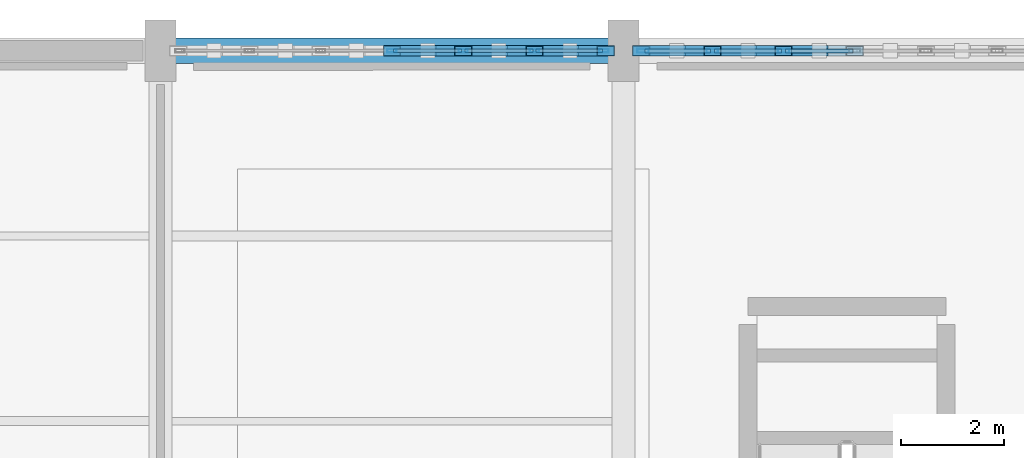
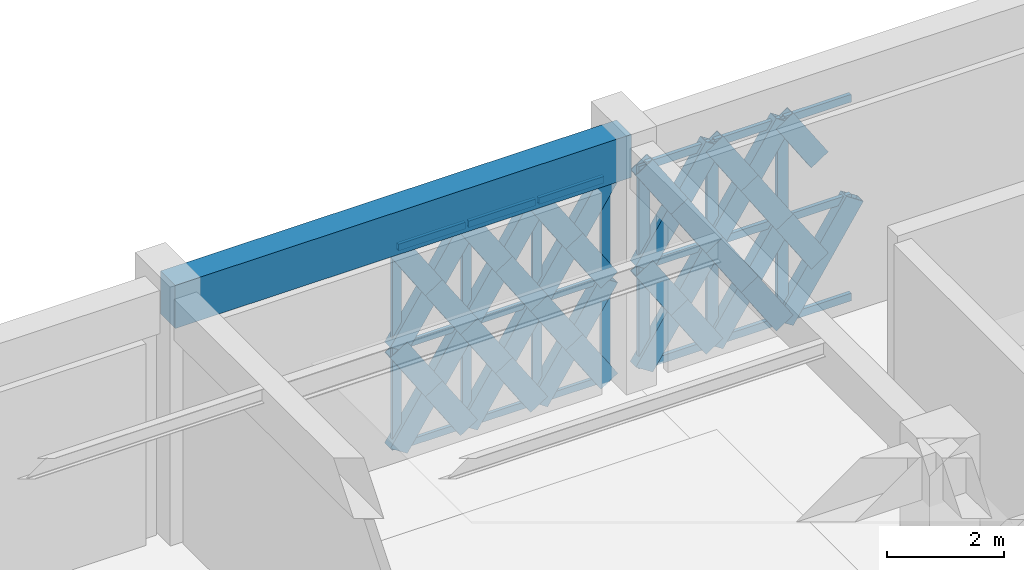
# One storey, part 72 of 140: 58 members, 1 beam, 2 elements without a shape of their own.
"""IFC4 building model written with IfcOpenShell, lengths in metres."""

from ifc_helpers import new_model, si_unit, direction, frame, origin, origin_2d, place, context, subcontext, project, spatial, rectangle, hollow_rectangle, extrude, material, material_profile, profile_set, type_object, element, aggregate, save


model = new_model("IFC4")

# Units and contexts
model_context = context("Model", 3, precision=1e-05, world=origin(), true_north=direction((0.0, 1.0)))
body_context = subcontext(model_context, "Body", "Model", "MODEL_VIEW")
ifc_project = project(units=[si_unit("LENGTHUNIT", "METRE"), si_unit("AREAUNIT", "SQUARE_METRE"), si_unit("VOLUMEUNIT", "CUBIC_METRE"), si_unit("PLANEANGLEUNIT", "RADIAN"), si_unit("MASSUNIT", "GRAM", prefix="KILO")], contexts=[model_context])

# Site, building, storey
site_placement = place(None, origin())
site = spatial("IfcSite", under=ifc_project, at=site_placement, CompositionType="ELEMENT")
building_placement = place(site_placement, origin())
building = spatial("IfcBuilding", under=site, at=building_placement, Name="Haizhuo Lancet Aquarium", CompositionType="ELEMENT")
storey_placement = place(building_placement, origin())
storey = spatial("IfcBuildingStorey", under=building, at=storey_placement, Name="L00", CompositionType="ELEMENT", Elevation=0.0)

# Beam
ifc_material_1 = material(Name="Concrete C40/50", Category="concrete")
ifc_material_profile_1 = material_profile(ifc_material_1, rectangle(XDim=0.5, YDim=0.89990234375, at=origin_2d()), Name="RC-BM 500x900")
ifc_profile_set_1 = profile_set([ifc_material_profile_1], Name="Concrete C40/50")
beam_type = type_object("IfcBeamType", Name="BM-RC-500x900", PredefinedType="BEAM", material=ifc_profile_set_1)
beam_placement = place(storey_placement, frame((0.0, 55.800048828125, 4.669921875), z_axis=(1.0, 0.0, 0.0), x_axis=(0.0, 1.0, 0.0)))
element("IfcBeam", 1, at=beam_placement, inside=storey, type_object=beam_type, Name="L00 V5 primary girder BM-L00-V5-022", PredefinedType="BEAM", context=body_context, shape_type="SweptSolid", body=[
    extrude(rectangle(XDim=0.5, YDim=0.89990234375, at=origin_2d()), origin(), (0.0, 0.0, 1.0), 9.0),
])

# Curtain wall, members
ifc_material_2 = material(Name="Aluminium 6063-T6", Category="aluminium")
curtain_wall_type = type_object("IfcCurtainWallType", Name="CWD-8310x4220", PredefinedType="NOTDEFINED", material=ifc_material_2)
curtain_wall_1_placement = place(storey_placement, origin())
curtain_wall_1 = element("IfcCurtainWall", 2, at=curtain_wall_1_placement, inside=storey, type_object=curtain_wall_type, Name="L00 curtain wall CW-V5-L00-118", PredefinedType="NOTDEFINED")
ifc_material_profile_2 = material_profile(ifc_material_2, hollow_rectangle(XDim=0.06494140625, YDim=0.179931640625, WallThickness=0.00390625, at=origin_2d()), Name="ALU-M 65x180x4")
ifc_profile_set_2 = profile_set([ifc_material_profile_2], Name="Aluminium 6063-T6")
member_type_1 = type_object("IfcMemberType", Name="CW-MUL-1", PredefinedType="MULLION", material=ifc_profile_set_2)
member_1_placement = place(storey_placement, frame((4.5, 55.800048828125, 0.0), z_axis=(0.0, 0.0, 1.0), x_axis=(0.0, 1.0, 0.0)))
member_1 = element("IfcMember", 3, at=member_1_placement, type_object=member_type_1, Name="CWD-83x42 mullion 4", PredefinedType="MULLION", context=body_context, shape_type="SweptSolid", body=[
    extrude(hollow_rectangle(XDim=0.06494140625, YDim=0.179931640625, WallThickness=0.00390625, at=origin_2d()), origin(), (0.0, 0.0, 1.0), 4.219970703125),
])
member_2_placement = place(storey_placement, frame((5.885009765625, 55.800048828125, 0.0), z_axis=(0.0, 0.0, 1.0), x_axis=(0.0, 1.0, 0.0)))
member_2 = element("IfcMember", 4, at=member_2_placement, type_object=member_type_1, Name="CWD-83x42 mullion 5", PredefinedType="MULLION", context=body_context, shape_type="SweptSolid", body=[
    extrude(hollow_rectangle(XDim=0.06494140625, YDim=0.179931640625, WallThickness=0.00390625, at=origin_2d()), origin(), (0.0, 0.0, 1.0), 4.219970703125),
])
member_3_placement = place(storey_placement, frame((7.27001953125, 55.800048828125, 0.0), z_axis=(0.0, 0.0, 1.0), x_axis=(0.0, 1.0, 0.0)))
member_3 = element("IfcMember", 5, at=member_3_placement, type_object=member_type_1, Name="CWD-83x42 mullion 6", PredefinedType="MULLION", context=body_context, shape_type="SweptSolid", body=[
    extrude(hollow_rectangle(XDim=0.06494140625, YDim=0.179931640625, WallThickness=0.00390625, at=origin_2d()), origin(), (0.0, 0.0, 1.0), 4.219970703125),
])
member_4_placement = place(storey_placement, frame((8.6220703125, 55.800048828125, 0.0), z_axis=(0.0, 0.0, 1.0), x_axis=(0.0, 1.0, 0.0)))
member_4 = element("IfcMember", 6, at=member_4_placement, type_object=member_type_1, Name="CWD-83x42 mullion 7", PredefinedType="MULLION", context=body_context, shape_type="SweptSolid", body=[
    extrude(hollow_rectangle(XDim=0.06494140625, YDim=0.179931640625, WallThickness=0.00390625, at=origin_2d()), origin(), (0.0, 0.0, 1.0), 4.219970703125),
])

curtain_wall_2_placement = place(storey_placement, origin())
curtain_wall_2 = element("IfcCurtainWall", 7, at=curtain_wall_2_placement, inside=storey, type_object=curtain_wall_type, Name="L00 curtain wall CW-V5-L00-119", PredefinedType="NOTDEFINED")
ifc_material_profile_3 = material_profile(ifc_material_2, hollow_rectangle(XDim=0.074951171875, YDim=0.219970703125, WallThickness=0.0048828125, at=origin_2d()), Name="ALU-M 75x220x5")
ifc_profile_set_3 = profile_set([ifc_material_profile_3], Name="Aluminium 6063-T6")
member_type_2 = type_object("IfcMemberType", Name="CW-MUL-2", PredefinedType="MULLION", material=ifc_profile_set_3)
member_5_placement = place(storey_placement, frame((9.383056640625, 55.800048828125, 0.0), z_axis=(0.0, 0.0, 1.0), x_axis=(0.0, 1.0, 0.0)))
member_5 = element("IfcMember", 8, at=member_5_placement, type_object=member_type_2, Name="CWD-83x42 mullion 1", PredefinedType="MULLION", context=body_context, shape_type="SweptSolid", body=[
    extrude(hollow_rectangle(XDim=0.074951171875, YDim=0.219970703125, WallThickness=0.0048828125, at=origin_2d()), origin(), (0.0, 0.0, 1.0), 4.219970703125),
])
member_6_placement = place(storey_placement, frame((10.72998046875, 55.800048828125, 0.0), z_axis=(0.0, 0.0, 1.0), x_axis=(0.0, 1.0, 0.0)))
member_6 = element("IfcMember", 9, at=member_6_placement, type_object=member_type_2, Name="CWD-83x42 mullion 2", PredefinedType="MULLION", context=body_context, shape_type="SweptSolid", body=[
    extrude(hollow_rectangle(XDim=0.074951171875, YDim=0.219970703125, WallThickness=0.0048828125, at=origin_2d()), origin(), (0.0, 0.0, 1.0), 4.219970703125),
])
member_7_placement = place(storey_placement, frame((12.114990234375, 55.800048828125, 0.0), z_axis=(0.0, 0.0, 1.0), x_axis=(0.0, 1.0, 0.0)))
member_7 = element("IfcMember", 10, at=member_7_placement, type_object=member_type_2, Name="CWD-83x42 mullion 3", PredefinedType="MULLION", context=body_context, shape_type="SweptSolid", body=[
    extrude(hollow_rectangle(XDim=0.074951171875, YDim=0.219970703125, WallThickness=0.0048828125, at=origin_2d()), origin(), (0.0, 0.0, 1.0), 4.219970703125),
])

# Member
ifc_material_profile_4 = material_profile(ifc_material_2, hollow_rectangle(XDim=0.06494140625, YDim=0.139892578125, WallThickness=0.00390625, at=origin_2d()), Name="ALU-T 65x140x4")
ifc_profile_set_4 = profile_set([ifc_material_profile_4], Name="Aluminium 6063-T6")
member_type_3 = type_object("IfcMemberType", Name="CW-TRN-1", PredefinedType="NOTDEFINED", material=ifc_profile_set_4)
member_8_placement = place(storey_placement, frame((4.531982421875, 55.800048828125, 0.032958984375), z_axis=(1.0, 0.0, 0.0), x_axis=(0.0, 1.0, 0.0)))
member_8 = element("IfcMember", 11, at=member_8_placement, type_object=member_type_3, Name="CWD-83x42 transom 4.1", ObjectType="TRANSOM", PredefinedType="USERDEFINED", context=body_context, shape_type="SweptSolid", body=[
    extrude(hollow_rectangle(XDim=0.06494140625, YDim=0.139892578125, WallThickness=0.00390625, at=origin_2d()), origin(), (0.0, 0.0, 1.0), 1.320068359375),
])

member_9_placement = place(storey_placement, frame((4.531982421875, 55.800048828125, 2.110107421875), z_axis=(1.0, 0.0, 0.0), x_axis=(0.0, 1.0, 0.0)))
member_9 = element("IfcMember", 12, at=member_9_placement, type_object=member_type_3, Name="CWD-83x42 transom 4.2", ObjectType="TRANSOM", PredefinedType="USERDEFINED", context=body_context, shape_type="SweptSolid", body=[
    extrude(hollow_rectangle(XDim=0.06494140625, YDim=0.139892578125, WallThickness=0.00390625, at=origin_2d()), origin(), (0.0, 0.0, 1.0), 1.320068359375),
])

member_10_placement = place(storey_placement, frame((4.531982421875, 55.800048828125, 4.18798828125), z_axis=(1.0, 0.0, 0.0), x_axis=(0.0, 1.0, 0.0)))
member_10 = element("IfcMember", 13, at=member_10_placement, type_object=member_type_3, Name="CWD-83x42 transom 4.3", ObjectType="TRANSOM", PredefinedType="USERDEFINED", context=body_context, shape_type="SweptSolid", body=[
    extrude(hollow_rectangle(XDim=0.06494140625, YDim=0.139892578125, WallThickness=0.00390625, at=origin_2d()), origin(), (0.0, 0.0, 1.0), 1.320068359375),
])

member_11_placement = place(storey_placement, frame((5.9169921875, 55.800048828125, 0.032958984375), z_axis=(1.0, 0.0, 0.0), x_axis=(0.0, 1.0, 0.0)))
member_11 = element("IfcMember", 14, at=member_11_placement, type_object=member_type_3, Name="CWD-83x42 transom 5.1", ObjectType="TRANSOM", PredefinedType="USERDEFINED", context=body_context, shape_type="SweptSolid", body=[
    extrude(hollow_rectangle(XDim=0.06494140625, YDim=0.139892578125, WallThickness=0.00390625, at=origin_2d()), origin(), (0.0, 0.0, 1.0), 1.320068359375),
])

member_12_placement = place(storey_placement, frame((5.9169921875, 55.800048828125, 2.110107421875), z_axis=(1.0, 0.0, 0.0), x_axis=(0.0, 1.0, 0.0)))
member_12 = element("IfcMember", 15, at=member_12_placement, type_object=member_type_3, Name="CWD-83x42 transom 5.2", ObjectType="TRANSOM", PredefinedType="USERDEFINED", context=body_context, shape_type="SweptSolid", body=[
    extrude(hollow_rectangle(XDim=0.06494140625, YDim=0.139892578125, WallThickness=0.00390625, at=origin_2d()), origin(), (0.0, 0.0, 1.0), 1.320068359375),
])

member_13_placement = place(storey_placement, frame((5.9169921875, 55.800048828125, 4.18798828125), z_axis=(1.0, 0.0, 0.0), x_axis=(0.0, 1.0, 0.0)))
member_13 = element("IfcMember", 16, at=member_13_placement, type_object=member_type_3, Name="CWD-83x42 transom 5.3", ObjectType="TRANSOM", PredefinedType="USERDEFINED", context=body_context, shape_type="SweptSolid", body=[
    extrude(hollow_rectangle(XDim=0.06494140625, YDim=0.139892578125, WallThickness=0.00390625, at=origin_2d()), origin(), (0.0, 0.0, 1.0), 1.320068359375),
])

member_14_placement = place(storey_placement, frame((7.302001953125, 55.800048828125, 0.032958984375), z_axis=(1.0, 0.0, 0.0), x_axis=(0.0, 1.0, 0.0)))
member_14 = element("IfcMember", 17, at=member_14_placement, type_object=member_type_3, Name="CWD-83x42 transom 6.1", ObjectType="TRANSOM", PredefinedType="USERDEFINED", context=body_context, shape_type="SweptSolid", body=[
    extrude(hollow_rectangle(XDim=0.06494140625, YDim=0.139892578125, WallThickness=0.00390625, at=origin_2d()), origin(), (0.0, 0.0, 1.0), 1.2880859375),
])

member_15_placement = place(storey_placement, frame((7.302001953125, 55.800048828125, 2.110107421875), z_axis=(1.0, 0.0, 0.0), x_axis=(0.0, 1.0, 0.0)))
member_15 = element("IfcMember", 18, at=member_15_placement, type_object=member_type_3, Name="CWD-83x42 transom 6.2", ObjectType="TRANSOM", PredefinedType="USERDEFINED", context=body_context, shape_type="SweptSolid", body=[
    extrude(hollow_rectangle(XDim=0.06494140625, YDim=0.139892578125, WallThickness=0.00390625, at=origin_2d()), origin(), (0.0, 0.0, 1.0), 1.2880859375),
])

member_16_placement = place(storey_placement, frame((7.302001953125, 55.800048828125, 4.18798828125), z_axis=(1.0, 0.0, 0.0), x_axis=(0.0, 1.0, 0.0)))
member_16 = element("IfcMember", 19, at=member_16_placement, type_object=member_type_3, Name="CWD-83x42 transom 6.3", ObjectType="TRANSOM", PredefinedType="USERDEFINED", context=body_context, shape_type="SweptSolid", body=[
    extrude(hollow_rectangle(XDim=0.06494140625, YDim=0.139892578125, WallThickness=0.00390625, at=origin_2d()), origin(), (0.0, 0.0, 1.0), 1.2880859375),
])

aggregate(curtain_wall_1, [member_1, member_2, member_3, member_4, member_8, member_9, member_10, member_11, member_12, member_13, member_14, member_15, member_16])

ifc_material_profile_5 = material_profile(ifc_material_2, hollow_rectangle(XDim=0.074951171875, YDim=0.159912109375, WallThickness=0.00390625, at=origin_2d()), Name="ALU-T 75x160x4")
ifc_profile_set_5 = profile_set([ifc_material_profile_5], Name="Aluminium 6063-T6")
member_type_4 = type_object("IfcMemberType", Name="CW-TRN-2", PredefinedType="NOTDEFINED", material=ifc_profile_set_5)
member_17_placement = place(storey_placement, frame((9.419921875, 55.800048828125, 0.037109375), z_axis=(1.0, 0.0, 0.0), x_axis=(0.0, 1.0, 0.0)))
member_17 = element("IfcMember", 20, at=member_17_placement, type_object=member_type_4, Name="CWD-83x42 transom 1.1", ObjectType="TRANSOM", PredefinedType="USERDEFINED", context=body_context, shape_type="SweptSolid", body=[
    extrude(hollow_rectangle(XDim=0.074951171875, YDim=0.159912109375, WallThickness=0.00390625, at=origin_2d()), origin(), (0.0, 0.0, 1.0), 1.273193359375),
])

member_18_placement = place(storey_placement, frame((9.419921875, 55.800048828125, 2.110107421875), z_axis=(1.0, 0.0, 0.0), x_axis=(0.0, 1.0, 0.0)))
member_18 = element("IfcMember", 21, at=member_18_placement, type_object=member_type_4, Name="CWD-83x42 transom 1.2", ObjectType="TRANSOM", PredefinedType="USERDEFINED", context=body_context, shape_type="SweptSolid", body=[
    extrude(hollow_rectangle(XDim=0.074951171875, YDim=0.159912109375, WallThickness=0.00390625, at=origin_2d()), origin(), (0.0, 0.0, 1.0), 1.273193359375),
])

member_19_placement = place(storey_placement, frame((9.419921875, 55.800048828125, 4.18310546875), z_axis=(1.0, 0.0, 0.0), x_axis=(0.0, 1.0, 0.0)))
member_19 = element("IfcMember", 22, at=member_19_placement, type_object=member_type_4, Name="CWD-83x42 transom 1.3", ObjectType="TRANSOM", PredefinedType="USERDEFINED", context=body_context, shape_type="SweptSolid", body=[
    extrude(hollow_rectangle(XDim=0.074951171875, YDim=0.159912109375, WallThickness=0.00390625, at=origin_2d()), origin(), (0.0, 0.0, 1.0), 1.273193359375),
])

member_20_placement = place(storey_placement, frame((10.76806640625, 55.800048828125, 0.037109375), z_axis=(1.0, 0.0, 0.0), x_axis=(0.0, 1.0, 0.0)))
member_20 = element("IfcMember", 23, at=member_20_placement, type_object=member_type_4, Name="CWD-83x42 transom 2.1", ObjectType="TRANSOM", PredefinedType="USERDEFINED", context=body_context, shape_type="SweptSolid", body=[
    extrude(hollow_rectangle(XDim=0.074951171875, YDim=0.159912109375, WallThickness=0.00390625, at=origin_2d()), origin(), (0.0, 0.0, 1.0), 1.309814453125),
])

member_21_placement = place(storey_placement, frame((10.76806640625, 55.800048828125, 2.110107421875), z_axis=(1.0, 0.0, 0.0), x_axis=(0.0, 1.0, 0.0)))
member_21 = element("IfcMember", 24, at=member_21_placement, type_object=member_type_4, Name="CWD-83x42 transom 2.2", ObjectType="TRANSOM", PredefinedType="USERDEFINED", context=body_context, shape_type="SweptSolid", body=[
    extrude(hollow_rectangle(XDim=0.074951171875, YDim=0.159912109375, WallThickness=0.00390625, at=origin_2d()), origin(), (0.0, 0.0, 1.0), 1.309814453125),
])

member_22_placement = place(storey_placement, frame((10.76806640625, 55.800048828125, 4.18310546875), z_axis=(1.0, 0.0, 0.0), x_axis=(0.0, 1.0, 0.0)))
member_22 = element("IfcMember", 25, at=member_22_placement, type_object=member_type_4, Name="CWD-83x42 transom 2.3", ObjectType="TRANSOM", PredefinedType="USERDEFINED", context=body_context, shape_type="SweptSolid", body=[
    extrude(hollow_rectangle(XDim=0.074951171875, YDim=0.159912109375, WallThickness=0.00390625, at=origin_2d()), origin(), (0.0, 0.0, 1.0), 1.309814453125),
])

member_23_placement = place(storey_placement, frame((12.152099609375, 55.800048828125, 0.037109375), z_axis=(1.0, 0.0, 0.0), x_axis=(0.0, 1.0, 0.0)))
member_23 = element("IfcMember", 26, at=member_23_placement, type_object=member_type_4, Name="CWD-83x42 transom 3.1", ObjectType="TRANSOM", PredefinedType="USERDEFINED", context=body_context, shape_type="SweptSolid", body=[
    extrude(hollow_rectangle(XDim=0.074951171875, YDim=0.159912109375, WallThickness=0.00390625, at=origin_2d()), origin(), (0.0, 0.0, 1.0), 1.310791015625),
])

member_24_placement = place(storey_placement, frame((12.152099609375, 55.800048828125, 2.110107421875), z_axis=(1.0, 0.0, 0.0), x_axis=(0.0, 1.0, 0.0)))
member_24 = element("IfcMember", 27, at=member_24_placement, type_object=member_type_4, Name="CWD-83x42 transom 3.2", ObjectType="TRANSOM", PredefinedType="USERDEFINED", context=body_context, shape_type="SweptSolid", body=[
    extrude(hollow_rectangle(XDim=0.074951171875, YDim=0.159912109375, WallThickness=0.00390625, at=origin_2d()), origin(), (0.0, 0.0, 1.0), 1.310791015625),
])

member_25_placement = place(storey_placement, frame((12.152099609375, 55.800048828125, 4.18310546875), z_axis=(1.0, 0.0, 0.0), x_axis=(0.0, 1.0, 0.0)))
member_25 = element("IfcMember", 28, at=member_25_placement, type_object=member_type_4, Name="CWD-83x42 transom 3.3", ObjectType="TRANSOM", PredefinedType="USERDEFINED", context=body_context, shape_type="SweptSolid", body=[
    extrude(hollow_rectangle(XDim=0.074951171875, YDim=0.159912109375, WallThickness=0.00390625, at=origin_2d()), origin(), (0.0, 0.0, 1.0), 1.310791015625),
])

aggregate(curtain_wall_2, [member_5, member_6, member_7, member_17, member_18, member_19, member_20, member_21, member_22, member_23, member_24, member_25])

# Members
ifc_material_3 = material(Name="Steel S355", Category="steel")
ifc_material_profile_6 = material_profile(ifc_material_3, hollow_rectangle(XDim=0.199951171875, YDim=0.39990234375, WallThickness=0.011962890625, at=origin_2d()), Name="RHS 200x400x12")
ifc_profile_set_6 = profile_set([ifc_material_profile_6], Name="Steel S355")
member_type_5 = type_object("IfcMemberType", Name="MEM-LB-RHS200x400", PredefinedType="BRACE", material=ifc_profile_set_6)
member_26_placement = place(storey_placement, frame((4.5, 55.800048828125, 0.0), z_axis=(0.548726161473, 0.0, 0.836002152937), x_axis=(0.0, 1.0, 0.0)))
element("IfcMember", 29, at=member_26_placement, inside=storey, type_object=member_type_5, Name="Gothic lancet continuous diagonal brace CW-V5-L00-118 7A", PredefinedType="BRACE", context=body_context, shape_type="SweptSolid", body=[
    extrude(hollow_rectangle(XDim=0.199951171875, YDim=0.39990234375, WallThickness=0.011962890625, at=origin_2d()), origin(), (0.0, 0.0, 1.0), 2.52392578125),
])
member_27_placement = place(storey_placement, frame((5.885009765625, 55.800048828125, 0.0), z_axis=(-0.549108413745, 0.0, 0.835751129197), x_axis=(0.0, -1.0, 0.0)))
element("IfcMember", 30, at=member_27_placement, inside=storey, type_object=member_type_5, Name="Gothic lancet split diagonal brace CW-V5-L00-118 7B1", PredefinedType="BRACE", context=body_context, shape_type="SweptSolid", body=[
    extrude(hollow_rectangle(XDim=0.199951171875, YDim=0.39990234375, WallThickness=0.011962890625, at=origin_2d()), origin(), (0.0, 0.0, 1.0), 1.26220703125),
])
member_28_placement = place(storey_placement, frame((5.19189453125, 55.800048828125, 1.054931640625), z_axis=(-0.548343653292, 0.0, 0.8362530944), x_axis=(0.0, -1.0, 0.0)))
element("IfcMember", 31, at=member_28_placement, inside=storey, type_object=member_type_5, Name="Gothic lancet split diagonal brace CW-V5-L00-118 7B2", PredefinedType="BRACE", context=body_context, shape_type="SweptSolid", body=[
    extrude(hollow_rectangle(XDim=0.199951171875, YDim=0.39990234375, WallThickness=0.011962890625, at=origin_2d()), origin(), (0.0, 0.0, 1.0), 1.26171875),
])
member_29_placement = place(storey_placement, frame((4.5, 55.800048828125, 2.110107421875), z_axis=(0.548770535976, 0.0, 0.83597302519), x_axis=(0.0, 1.0, 0.0)))
element("IfcMember", 32, at=member_29_placement, inside=storey, type_object=member_type_5, Name="Gothic lancet continuous diagonal brace CW-V5-L00-118 8A", PredefinedType="BRACE", context=body_context, shape_type="SweptSolid", body=[
    extrude(hollow_rectangle(XDim=0.199951171875, YDim=0.39990234375, WallThickness=0.011962890625, at=origin_2d()), origin(), (0.0, 0.0, 1.0), 2.52392578125),
])
member_30_placement = place(storey_placement, frame((5.885009765625, 55.800048828125, 2.110107421875), z_axis=(-0.549108413745, 0.0, 0.835751129197), x_axis=(0.0, -1.0, 0.0)))
element("IfcMember", 33, at=member_30_placement, inside=storey, type_object=member_type_5, Name="Gothic lancet split diagonal brace CW-V5-L00-118 8B1", PredefinedType="BRACE", context=body_context, shape_type="SweptSolid", body=[
    extrude(hollow_rectangle(XDim=0.199951171875, YDim=0.39990234375, WallThickness=0.011962890625, at=origin_2d()), origin(), (0.0, 0.0, 1.0), 1.26220703125),
])
member_31_placement = place(storey_placement, frame((5.19189453125, 55.800048828125, 3.1650390625), z_axis=(-0.548432389058, 0.0, 0.8361949023), x_axis=(0.0, -1.0, 0.0)))
element("IfcMember", 34, at=member_31_placement, inside=storey, type_object=member_type_5, Name="Gothic lancet split diagonal brace CW-V5-L00-118 8B2", PredefinedType="BRACE", context=body_context, shape_type="SweptSolid", body=[
    extrude(hollow_rectangle(XDim=0.199951171875, YDim=0.39990234375, WallThickness=0.011962890625, at=origin_2d()), origin(), (0.0, 0.0, 1.0), 1.261474609375),
])
member_32_placement = place(storey_placement, frame((5.885009765625, 55.800048828125, 0.0), z_axis=(0.548726161473, 0.0, 0.836002152937), x_axis=(0.0, 1.0, 0.0)))
element("IfcMember", 35, at=member_32_placement, inside=storey, type_object=member_type_5, Name="Gothic lancet continuous diagonal brace CW-V5-L00-118 9A", PredefinedType="BRACE", context=body_context, shape_type="SweptSolid", body=[
    extrude(hollow_rectangle(XDim=0.199951171875, YDim=0.39990234375, WallThickness=0.011962890625, at=origin_2d()), origin(), (0.0, 0.0, 1.0), 2.52392578125),
])
member_33_placement = place(storey_placement, frame((7.27001953125, 55.800048828125, 0.0), z_axis=(-0.549108413745, 0.0, 0.835751129197), x_axis=(0.0, -1.0, 0.0)))
element("IfcMember", 36, at=member_33_placement, inside=storey, type_object=member_type_5, Name="Gothic lancet split diagonal brace CW-V5-L00-118 9B1", PredefinedType="BRACE", context=body_context, shape_type="SweptSolid", body=[
    extrude(hollow_rectangle(XDim=0.199951171875, YDim=0.39990234375, WallThickness=0.011962890625, at=origin_2d()), origin(), (0.0, 0.0, 1.0), 1.26220703125),
])
member_34_placement = place(storey_placement, frame((6.576904296875, 55.800048828125, 1.054931640625), z_axis=(-0.548343653292, 0.0, 0.8362530944), x_axis=(0.0, -1.0, 0.0)))
element("IfcMember", 37, at=member_34_placement, inside=storey, type_object=member_type_5, Name="Gothic lancet split diagonal brace CW-V5-L00-118 9B2", PredefinedType="BRACE", context=body_context, shape_type="SweptSolid", body=[
    extrude(hollow_rectangle(XDim=0.199951171875, YDim=0.39990234375, WallThickness=0.011962890625, at=origin_2d()), origin(), (0.0, 0.0, 1.0), 1.26171875),
])
member_35_placement = place(storey_placement, frame((5.885009765625, 55.800048828125, 2.110107421875), z_axis=(0.548770535976, 0.0, 0.83597302519), x_axis=(0.0, 1.0, 0.0)))
element("IfcMember", 38, at=member_35_placement, inside=storey, type_object=member_type_5, Name="Gothic lancet continuous diagonal brace CW-V5-L00-118 10A", PredefinedType="BRACE", context=body_context, shape_type="SweptSolid", body=[
    extrude(hollow_rectangle(XDim=0.199951171875, YDim=0.39990234375, WallThickness=0.011962890625, at=origin_2d()), origin(), (0.0, 0.0, 1.0), 2.52392578125),
])
member_36_placement = place(storey_placement, frame((7.27001953125, 55.800048828125, 2.110107421875), z_axis=(-0.549108413745, 0.0, 0.835751129197), x_axis=(0.0, -1.0, 0.0)))
element("IfcMember", 39, at=member_36_placement, inside=storey, type_object=member_type_5, Name="Gothic lancet split diagonal brace CW-V5-L00-118 10B1", PredefinedType="BRACE", context=body_context, shape_type="SweptSolid", body=[
    extrude(hollow_rectangle(XDim=0.199951171875, YDim=0.39990234375, WallThickness=0.011962890625, at=origin_2d()), origin(), (0.0, 0.0, 1.0), 1.26220703125),
])
member_37_placement = place(storey_placement, frame((6.576904296875, 55.800048828125, 3.1650390625), z_axis=(-0.548432389058, 0.0, 0.8361949023), x_axis=(0.0, -1.0, 0.0)))
element("IfcMember", 40, at=member_37_placement, inside=storey, type_object=member_type_5, Name="Gothic lancet split diagonal brace CW-V5-L00-118 10B2", PredefinedType="BRACE", context=body_context, shape_type="SweptSolid", body=[
    extrude(hollow_rectangle(XDim=0.199951171875, YDim=0.39990234375, WallThickness=0.011962890625, at=origin_2d()), origin(), (0.0, 0.0, 1.0), 1.261474609375),
])
member_38_placement = place(storey_placement, frame((7.27001953125, 55.800048828125, 0.0), z_axis=(0.548726161473, 0.0, 0.836002152937), x_axis=(0.0, 1.0, 0.0)))
element("IfcMember", 41, at=member_38_placement, inside=storey, type_object=member_type_5, Name="Gothic lancet continuous diagonal brace CW-V5-L00-118 11A", PredefinedType="BRACE", context=body_context, shape_type="SweptSolid", body=[
    extrude(hollow_rectangle(XDim=0.199951171875, YDim=0.39990234375, WallThickness=0.011962890625, at=origin_2d()), origin(), (0.0, 0.0, 1.0), 2.52392578125),
])
member_39_placement = place(storey_placement, frame((8.655029296875, 55.800048828125, 0.0), z_axis=(-0.549108413745, 0.0, 0.835751129197), x_axis=(0.0, -1.0, 0.0)))
element("IfcMember", 42, at=member_39_placement, inside=storey, type_object=member_type_5, Name="Gothic lancet split diagonal brace CW-V5-L00-118 11B1", PredefinedType="BRACE", context=body_context, shape_type="SweptSolid", body=[
    extrude(hollow_rectangle(XDim=0.199951171875, YDim=0.39990234375, WallThickness=0.011962890625, at=origin_2d()), origin(), (0.0, 0.0, 1.0), 1.26220703125),
])
member_40_placement = place(storey_placement, frame((7.9619140625, 55.800048828125, 1.054931640625), z_axis=(-0.548343653292, 0.0, 0.8362530944), x_axis=(0.0, -1.0, 0.0)))
element("IfcMember", 43, at=member_40_placement, inside=storey, type_object=member_type_5, Name="Gothic lancet split diagonal brace CW-V5-L00-118 11B2", PredefinedType="BRACE", context=body_context, shape_type="SweptSolid", body=[
    extrude(hollow_rectangle(XDim=0.199951171875, YDim=0.39990234375, WallThickness=0.011962890625, at=origin_2d()), origin(), (0.0, 0.0, 1.0), 1.26171875),
])
member_41_placement = place(storey_placement, frame((7.27001953125, 55.800048828125, 2.110107421875), z_axis=(0.548770535976, 0.0, 0.83597302519), x_axis=(0.0, 1.0, 0.0)))
element("IfcMember", 44, at=member_41_placement, inside=storey, type_object=member_type_5, Name="Gothic lancet continuous diagonal brace CW-V5-L00-118 12A", PredefinedType="BRACE", context=body_context, shape_type="SweptSolid", body=[
    extrude(hollow_rectangle(XDim=0.199951171875, YDim=0.39990234375, WallThickness=0.011962890625, at=origin_2d()), origin(), (0.0, 0.0, 1.0), 2.52392578125),
])
member_42_placement = place(storey_placement, frame((8.655029296875, 55.800048828125, 2.110107421875), z_axis=(-0.549108413745, 0.0, 0.835751129197), x_axis=(0.0, -1.0, 0.0)))
element("IfcMember", 45, at=member_42_placement, inside=storey, type_object=member_type_5, Name="Gothic lancet split diagonal brace CW-V5-L00-118 12B1", PredefinedType="BRACE", context=body_context, shape_type="SweptSolid", body=[
    extrude(hollow_rectangle(XDim=0.199951171875, YDim=0.39990234375, WallThickness=0.011962890625, at=origin_2d()), origin(), (0.0, 0.0, 1.0), 1.26220703125),
])
member_43_placement = place(storey_placement, frame((7.9619140625, 55.800048828125, 3.1650390625), z_axis=(-0.548432389058, 0.0, 0.8361949023), x_axis=(0.0, -1.0, 0.0)))
element("IfcMember", 46, at=member_43_placement, inside=storey, type_object=member_type_5, Name="Gothic lancet split diagonal brace CW-V5-L00-118 12B2", PredefinedType="BRACE", context=body_context, shape_type="SweptSolid", body=[
    extrude(hollow_rectangle(XDim=0.199951171875, YDim=0.39990234375, WallThickness=0.011962890625, at=origin_2d()), origin(), (0.0, 0.0, 1.0), 1.261474609375),
])
member_44_placement = place(storey_placement, frame((9.344970703125, 55.800048828125, 0.0), z_axis=(0.548726161473, 0.0, 0.836002152937), x_axis=(0.0, 1.0, 0.0)))
element("IfcMember", 47, at=member_44_placement, inside=storey, type_object=member_type_5, Name="Gothic lancet continuous diagonal brace CW-V5-L00-119 1A", PredefinedType="BRACE", context=body_context, shape_type="SweptSolid", body=[
    extrude(hollow_rectangle(XDim=0.199951171875, YDim=0.39990234375, WallThickness=0.011962890625, at=origin_2d()), origin(), (0.0, 0.0, 1.0), 2.52392578125),
])
member_45_placement = place(storey_placement, frame((10.72998046875, 55.800048828125, 0.0), z_axis=(-0.548432389058, 0.0, 0.8361949023), x_axis=(0.0, -1.0, 0.0)))
element("IfcMember", 48, at=member_45_placement, inside=storey, type_object=member_type_5, Name="Gothic lancet split diagonal brace CW-V5-L00-119 1B1", PredefinedType="BRACE", context=body_context, shape_type="SweptSolid", body=[
    extrude(hollow_rectangle(XDim=0.199951171875, YDim=0.39990234375, WallThickness=0.011962890625, at=origin_2d()), origin(), (0.0, 0.0, 1.0), 1.261474609375),
])
member_46_placement = place(storey_placement, frame((10.0380859375, 55.800048828125, 1.054931640625), z_axis=(-0.549019662853, 0.0, 0.835809433903), x_axis=(0.0, -1.0, 0.0)))
element("IfcMember", 49, at=member_46_placement, inside=storey, type_object=member_type_5, Name="Gothic lancet split diagonal brace CW-V5-L00-119 1B2", PredefinedType="BRACE", context=body_context, shape_type="SweptSolid", body=[
    extrude(hollow_rectangle(XDim=0.199951171875, YDim=0.39990234375, WallThickness=0.011962890625, at=origin_2d()), origin(), (0.0, 0.0, 1.0), 1.262451171875),
])
member_47_placement = place(storey_placement, frame((9.344970703125, 55.800048828125, 2.110107421875), z_axis=(0.548770535976, 0.0, 0.83597302519), x_axis=(0.0, 1.0, 0.0)))
element("IfcMember", 50, at=member_47_placement, inside=storey, type_object=member_type_5, Name="Gothic lancet continuous diagonal brace CW-V5-L00-119 2A", PredefinedType="BRACE", context=body_context, shape_type="SweptSolid", body=[
    extrude(hollow_rectangle(XDim=0.199951171875, YDim=0.39990234375, WallThickness=0.011962890625, at=origin_2d()), origin(), (0.0, 0.0, 1.0), 2.52392578125),
])
member_48_placement = place(storey_placement, frame((10.72998046875, 55.800048828125, 2.110107421875), z_axis=(-0.548432389058, 0.0, 0.8361949023), x_axis=(0.0, -1.0, 0.0)))
element("IfcMember", 51, at=member_48_placement, inside=storey, type_object=member_type_5, Name="Gothic lancet split diagonal brace CW-V5-L00-119 2B1", PredefinedType="BRACE", context=body_context, shape_type="SweptSolid", body=[
    extrude(hollow_rectangle(XDim=0.199951171875, YDim=0.39990234375, WallThickness=0.011962890625, at=origin_2d()), origin(), (0.0, 0.0, 1.0), 1.261474609375),
])
member_49_placement = place(storey_placement, frame((10.0380859375, 55.800048828125, 3.1650390625), z_axis=(-0.549108413745, 0.0, 0.835751129197), x_axis=(0.0, -1.0, 0.0)))
element("IfcMember", 52, at=member_49_placement, inside=storey, type_object=member_type_5, Name="Gothic lancet split diagonal brace CW-V5-L00-119 2B2", PredefinedType="BRACE", context=body_context, shape_type="SweptSolid", body=[
    extrude(hollow_rectangle(XDim=0.199951171875, YDim=0.39990234375, WallThickness=0.011962890625, at=origin_2d()), origin(), (0.0, 0.0, 1.0), 1.26220703125),
])
member_50_placement = place(storey_placement, frame((10.72998046875, 55.800048828125, 0.0), z_axis=(0.548726161473, 0.0, 0.836002152937), x_axis=(0.0, 1.0, 0.0)))
element("IfcMember", 53, at=member_50_placement, inside=storey, type_object=member_type_5, Name="Gothic lancet continuous diagonal brace CW-V5-L00-119 3A", PredefinedType="BRACE", context=body_context, shape_type="SweptSolid", body=[
    extrude(hollow_rectangle(XDim=0.199951171875, YDim=0.39990234375, WallThickness=0.011962890625, at=origin_2d()), origin(), (0.0, 0.0, 1.0), 2.52392578125),
])
member_51_placement = place(storey_placement, frame((12.114990234375, 55.800048828125, 0.0), z_axis=(-0.548973294927, 0.0, 0.835839889845), x_axis=(0.0, -1.0, 0.0)))
element("IfcMember", 54, at=member_51_placement, inside=storey, type_object=member_type_5, Name="Gothic lancet split diagonal brace CW-V5-L00-119 3B1", PredefinedType="BRACE", context=body_context, shape_type="SweptSolid", body=[
    extrude(hollow_rectangle(XDim=0.199951171875, YDim=0.39990234375, WallThickness=0.011962890625, at=origin_2d()), origin(), (0.0, 0.0, 1.0), 1.26220703125),
])
member_52_placement = place(storey_placement, frame((11.422119140625, 55.800048828125, 1.054931640625), z_axis=(-0.54847894131, 0.0, 0.836164368375), x_axis=(0.0, -1.0, 0.0)))
element("IfcMember", 55, at=member_52_placement, inside=storey, type_object=member_type_5, Name="Gothic lancet split diagonal brace CW-V5-L00-119 3B2", PredefinedType="BRACE", context=body_context, shape_type="SweptSolid", body=[
    extrude(hollow_rectangle(XDim=0.199951171875, YDim=0.39990234375, WallThickness=0.011962890625, at=origin_2d()), origin(), (0.0, 0.0, 1.0), 1.261962890625),
])
member_53_placement = place(storey_placement, frame((10.72998046875, 55.800048828125, 2.110107421875), z_axis=(0.548770535976, 0.0, 0.83597302519), x_axis=(0.0, 1.0, 0.0)))
element("IfcMember", 56, at=member_53_placement, inside=storey, type_object=member_type_5, Name="Gothic lancet continuous diagonal brace CW-V5-L00-119 4A", PredefinedType="BRACE", context=body_context, shape_type="SweptSolid", body=[
    extrude(hollow_rectangle(XDim=0.199951171875, YDim=0.39990234375, WallThickness=0.011962890625, at=origin_2d()), origin(), (0.0, 0.0, 1.0), 2.52392578125),
])
member_54_placement = place(storey_placement, frame((12.114990234375, 55.800048828125, 2.110107421875), z_axis=(-0.548973294927, 0.0, 0.835839889845), x_axis=(0.0, -1.0, 0.0)))
element("IfcMember", 57, at=member_54_placement, inside=storey, type_object=member_type_5, Name="Gothic lancet split diagonal brace CW-V5-L00-119 4B1", PredefinedType="BRACE", context=body_context, shape_type="SweptSolid", body=[
    extrude(hollow_rectangle(XDim=0.199951171875, YDim=0.39990234375, WallThickness=0.011962890625, at=origin_2d()), origin(), (0.0, 0.0, 1.0), 1.26220703125),
])
member_55_placement = place(storey_placement, frame((11.422119140625, 55.800048828125, 3.1650390625), z_axis=(-0.54856768013, 0.0, 0.836106153737), x_axis=(0.0, -1.0, 0.0)))
element("IfcMember", 58, at=member_55_placement, inside=storey, type_object=member_type_5, Name="Gothic lancet split diagonal brace CW-V5-L00-119 4B2", PredefinedType="BRACE", context=body_context, shape_type="SweptSolid", body=[
    extrude(hollow_rectangle(XDim=0.199951171875, YDim=0.39990234375, WallThickness=0.011962890625, at=origin_2d()), origin(), (0.0, 0.0, 1.0), 1.26171875),
])
member_56_placement = place(storey_placement, frame((12.114990234375, 55.800048828125, 0.0), z_axis=(0.548726161473, 0.0, 0.836002152937), x_axis=(0.0, 1.0, 0.0)))
element("IfcMember", 59, at=member_56_placement, inside=storey, type_object=member_type_5, Name="Gothic lancet continuous diagonal brace CW-V5-L00-119 5A", PredefinedType="BRACE", context=body_context, shape_type="SweptSolid", body=[
    extrude(hollow_rectangle(XDim=0.199951171875, YDim=0.39990234375, WallThickness=0.011962890625, at=origin_2d()), origin(), (0.0, 0.0, 1.0), 2.52392578125),
])
member_57_placement = place(storey_placement, frame((12.80810546875, 55.800048828125, 1.054931640625), z_axis=(-0.549019662853, 0.0, 0.835809433903), x_axis=(0.0, -1.0, 0.0)))
element("IfcMember", 60, at=member_57_placement, inside=storey, type_object=member_type_5, Name="Gothic lancet split diagonal brace CW-V5-L00-119 5B2", PredefinedType="BRACE", context=body_context, shape_type="SweptSolid", body=[
    extrude(hollow_rectangle(XDim=0.199951171875, YDim=0.39990234375, WallThickness=0.011962890625, at=origin_2d()), origin(), (0.0, 0.0, 1.0), 1.262451171875),
])
member_58_placement = place(storey_placement, frame((12.80810546875, 55.800048828125, 3.1650390625), z_axis=(-0.549108413745, 0.0, 0.835751129197), x_axis=(0.0, -1.0, 0.0)))
element("IfcMember", 61, at=member_58_placement, inside=storey, type_object=member_type_5, Name="Gothic lancet split diagonal brace CW-V5-L00-119 6B2", PredefinedType="BRACE", context=body_context, shape_type="SweptSolid", body=[
    extrude(hollow_rectangle(XDim=0.199951171875, YDim=0.39990234375, WallThickness=0.011962890625, at=origin_2d()), origin(), (0.0, 0.0, 1.0), 1.26220703125),
])

save(model, "model.ifc")
